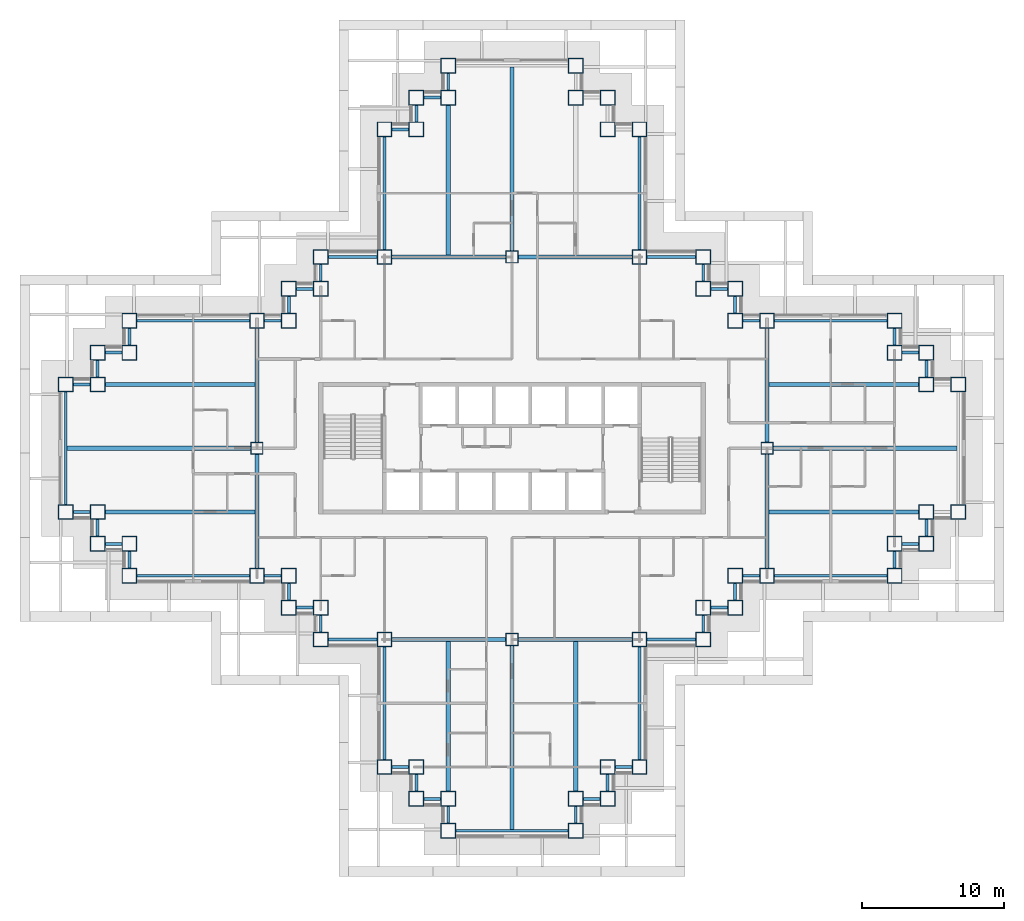
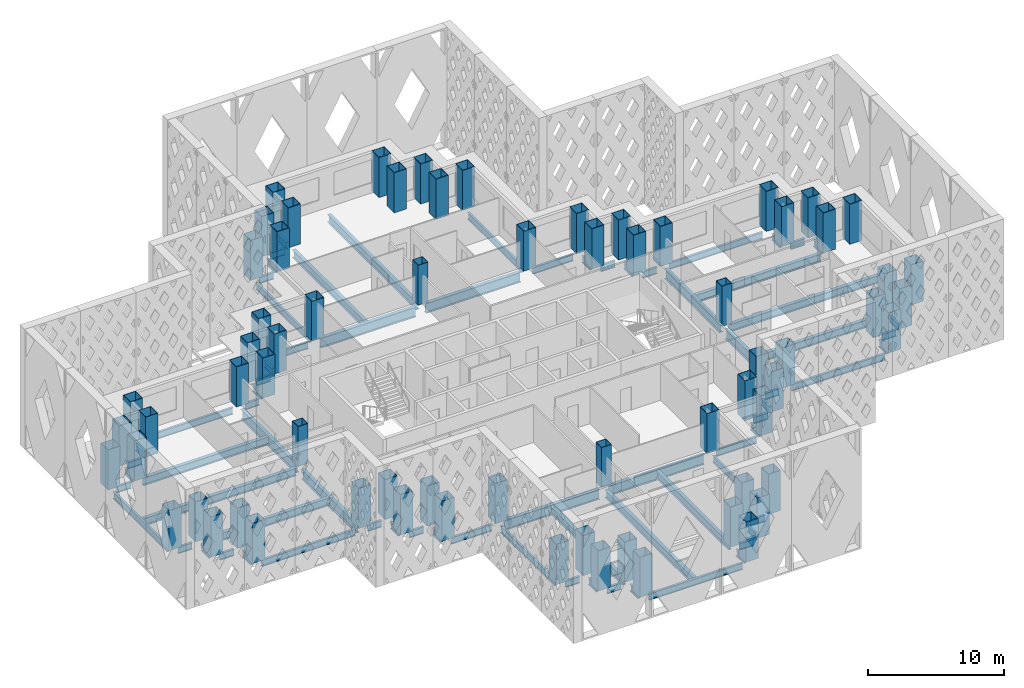
# One storey, part 1 of 19: 75 beams, 68 columns.
"""IFC4 building model written with IfcOpenShell, lengths in metres."""

from ifc_helpers import new_model, si_unit, direction, frame, origin, origin_2d, place, context, subcontext, project, spatial, hollow_rectangle, i_section, extrude, material, material_profile, profile_set, type_object, element, save


model = new_model("IFC4")

# Units and contexts
model_context = context("Model", 3, precision=1e-05, world=origin(), true_north=direction((0.0, 1.0)))
body_context = subcontext(model_context, "Body", "Model", "MODEL_VIEW")
ifc_project = project(units=[si_unit("LENGTHUNIT", "METRE"), si_unit("AREAUNIT", "SQUARE_METRE"), si_unit("VOLUMEUNIT", "CUBIC_METRE"), si_unit("PLANEANGLEUNIT", "RADIAN"), si_unit("MASSUNIT", "GRAM", prefix="KILO")], contexts=[model_context])

# Site, building, storey
site_placement = place(None, origin())
site = spatial("IfcSite", under=ifc_project, at=site_placement, CompositionType="ELEMENT")
building_placement = place(site_placement, origin())
building = spatial("IfcBuilding", under=site, at=building_placement, Name="Caravel Reach Hotel and Residences", CompositionType="ELEMENT")
storey_placement = place(building_placement, frame((0.0, 0.0, 52.800048828125)))
storey = spatial("IfcBuildingStorey", under=building, at=storey_placement, Name="L11", CompositionType="ELEMENT", Elevation=52.800048828125)

# Columns
ifc_material_1 = material(Name="Concrete-filled steel tube Q390B with Concrete C70 infill", Category="concrete")
ifc_material_profile_1 = material_profile(ifc_material_1, hollow_rectangle(XDim=1.050048828125, YDim=1.050048828125, WallThickness=0.033935546875, at=origin_2d()), Name="RHS 1050x1050x34")
ifc_profile_set_1 = profile_set([ifc_material_profile_1], Name="Concrete-filled steel tube Q390B with Concrete C70 infill")
column_type_1 = type_object("IfcColumnType", Name="CFT 1050x1050 Q390B C70", PredefinedType="COLUMN", material=ifc_profile_set_1)
for number, where, z_axis, x_axis, name in (
    (1, (22.5, 4.5, 0.0), (0.0, 0.0, 1.0), (1.0, 0.0, 0.0), "C11 column"),
    (2, (24.75, 4.5, 0.0), (0.0, 0.0, 1.0), (1.0, 0.0, 0.0), "C11 column"),
    (3, (24.75, 2.25, 0.0), (0.0, 0.0, 1.0), (1.0, 0.0, 0.0), "C11 column"),
    (4, (27.0, 2.25, 0.0), (0.0, 0.0, 1.0), (1.0, 0.0, 0.0), "C11 column"),
    (5, (27.0, 0.0, 0.0), (0.0, 0.0, 1.0), (1.0, 0.0, 0.0), "C11 column"),
    (6, (36.0, 0.0, 0.0), (0.0, 0.0, 1.0), (1.0, 0.0, 0.0), "C11 column"),
    (7, (36.0, 2.25, 0.0), (0.0, 0.0, 1.0), (1.0, 0.0, 0.0), "C11 column"),
    (8, (38.25, 2.25, 0.0), (0.0, 0.0, 1.0), (1.0, 0.0, 0.0), "C11 column"),
    (9, (38.25, 4.5, 0.0), (0.0, 0.0, 1.0), (1.0, 0.0, 0.0), "C11 column"),
    (10, (40.5, 4.5, 0.0), (0.0, 0.0, 1.0), (1.0, 0.0, 0.0), "C11 column"),
    (11, (40.5, 13.5, 0.0), (0.0, 0.0, 1.0), (1.0, 0.0, 0.0), "C11 column"),
    (12, (45.0, 13.5, 0.0), (0.0, 0.0, 1.0), (1.0, 0.0, 0.0), "C11 column"),
    (13, (45.0, 15.75, 0.0), (0.0, 0.0, 1.0), (1.0, 0.0, 0.0), "C11 column"),
    (14, (47.25, 15.75, 0.0), (0.0, 0.0, 1.0), (1.0, 0.0, 0.0), "C11 column"),
    (15, (47.25, 18.0, 0.0), (0.0, 0.0, 1.0), (1.0, 0.0, 0.0), "C11 column"),
    (16, (49.5, 18.0, 0.0), (0.0, 0.0, 1.0), (1.0, 0.0, 0.0), "C11 column"),
    (17, (58.5, 18.0, 0.0), (0.0, 0.0, 1.0), (1.0, 0.0, 0.0), "C11 column"),
    (18, (58.5, 20.25, 0.0), (0.0, 0.0, 1.0), (1.0, 0.0, 0.0), "C11 column"),
    (19, (60.75, 20.25, 0.0), (0.0, 0.0, 1.0), (1.0, 0.0, 0.0), "C11 column"),
    (20, (60.75, 22.5, 0.0), (0.0, 0.0, 1.0), (1.0, 0.0, 0.0), "C11 column"),
    (21, (63.0, 22.5, 0.0), (0.0, 0.0, 1.0), (1.0, 0.0, 0.0), "C11 column"),
    (22, (63.0, 31.5, 0.0), (0.0, 0.0, 1.0), (1.0, 0.0, 0.0), "C11 column"),
    (23, (60.75, 31.5, 0.0), (0.0, 0.0, 1.0), (1.0, 0.0, 0.0), "C11 column"),
    (24, (60.75, 33.75, 0.0), (0.0, 0.0, 1.0), (1.0, 0.0, 0.0), "C11 column"),
    (25, (58.5, 33.75, 0.0), (0.0, 0.0, 1.0), (1.0, 0.0, 0.0), "C11 column"),
    (26, (58.5, 36.0, 0.0), (0.0, 0.0, 1.0), (1.0, 0.0, 0.0), "C11 column"),
    (27, (49.5, 36.0, 0.0), (0.0, 0.0, 1.0), (1.0, 0.0, 0.0), "C11 column"),
    (28, (47.25, 36.0, 0.0), (0.0, 0.0, 1.0), (1.0, 0.0, 0.0), "C11 column"),
    (29, (47.25, 38.25, 0.0), (0.0, 0.0, 1.0), (1.0, 0.0, 0.0), "C11 column"),
    (30, (45.0, 38.25, 0.0), (0.0, 0.0, 1.0), (1.0, 0.0, 0.0), "C11 column"),
    (31, (45.0, 40.5, 0.0), (0.0, 0.0, 1.0), (1.0, 0.0, 0.0), "C11 column"),
    (32, (40.5, 40.5, 0.0), (0.0, 0.0, 1.0), (1.0, 0.0, 0.0), "C11 column"),
    (33, (40.5, 49.5, 0.0), (0.0, 0.0, 1.0), (1.0, 0.0, 0.0), "C11 column"),
    (34, (38.25, 49.5, 0.0), (0.0, 0.0, 1.0), (1.0, 0.0, 0.0), "C11 column"),
    (35, (38.25, 51.75, 0.0), (0.0, 0.0, 1.0), (1.0, 0.0, 0.0), "C11 column"),
    (36, (36.0, 51.75, 0.0), (0.0, 0.0, 1.0), (1.0, 0.0, 0.0), "C11 column"),
    (37, (36.0, 54.0, 0.0), (0.0, 0.0, 1.0), (1.0, 0.0, 0.0), "C11 column"),
    (38, (27.0, 54.0, 0.0), (0.0, 0.0, 1.0), (1.0, 0.0, 0.0), "C11 column"),
    (39, (27.0, 51.75, 0.0), (0.0, 0.0, 1.0), (1.0, 0.0, 0.0), "C11 column"),
    (40, (24.75, 51.75, 0.0), (0.0, 0.0, 1.0), (1.0, 0.0, 0.0), "C11 column"),
    (41, (24.75, 49.5, 0.0), (0.0, 0.0, 1.0), (1.0, 0.0, 0.0), "C11 column"),
    (42, (22.5, 49.5, 0.0), (0.0, 0.0, 1.0), (1.0, 0.0, 0.0), "C11 column"),
    (43, (22.5, 40.5, 0.0), (0.0, 0.0, 1.0), (1.0, 0.0, 0.0), "C11 column"),
    (44, (18.0, 40.5, 0.0), (0.0, 0.0, 1.0), (1.0, 0.0, 0.0), "C11 column"),
    (45, (18.0, 38.25, 0.0), (0.0, 0.0, 1.0), (1.0, 0.0, 0.0), "C11 column"),
    (46, (15.75, 38.25, 0.0), (0.0, 0.0, 1.0), (1.0, 0.0, 0.0), "C11 column"),
    (47, (15.75, 36.0, 0.0), (0.0, 0.0, 1.0), (1.0, 0.0, 0.0), "C11 column"),
    (48, (13.5, 36.0, 0.0), (0.0, 0.0, 1.0), (1.0, 0.0, 0.0), "C11 column"),
    (49, (4.5, 36.0, 0.0), (0.0, 0.0, 1.0), (1.0, 0.0, 0.0), "C11 column"),
    (50, (4.5, 33.75, 0.0), (0.0, 0.0, 1.0), (1.0, 0.0, 0.0), "C11 column"),
    (51, (2.25, 33.75, 0.0), (0.0, 0.0, 1.0), (1.0, 0.0, 0.0), "C11 column"),
    (52, (2.25, 31.5, 0.0), (0.0, 0.0, 1.0), (1.0, 0.0, 0.0), "C11 column"),
    (53, (0.0, 31.5, 0.0), (0.0, 0.0, 1.0), (1.0, 0.0, 0.0), "C11 column"),
    (54, (0.0, 22.5, 0.0), (0.0, 0.0, 1.0), (1.0, 0.0, 0.0), "C11 column"),
    (55, (2.25, 22.5, 0.0), (0.0, 0.0, 1.0), (1.0, 0.0, 0.0), "C11 column"),
    (56, (2.25, 20.25, 0.0), (0.0, 0.0, 1.0), (1.0, 0.0, 0.0), "C11 column"),
    (57, (4.5, 20.25, 0.0), (0.0, 0.0, 1.0), (1.0, 0.0, 0.0), "C11 column"),
    (58, (4.5, 18.0, 0.0), (0.0, 0.0, 1.0), (1.0, 0.0, 0.0), "C11 column"),
    (59, (13.5, 18.0, 0.0), (0.0, 0.0, 1.0), (1.0, 0.0, 0.0), "C11 column"),
    (60, (15.75, 18.0, 0.0), (0.0, 0.0, 1.0), (1.0, 0.0, 0.0), "C11 column"),
    (61, (15.75, 15.75, 0.0), (0.0, 0.0, 1.0), (1.0, 0.0, 0.0), "C11 column"),
    (62, (18.0, 15.75, 0.0), (0.0, 0.0, 1.0), (1.0, 0.0, 0.0), "C11 column"),
    (63, (18.0, 13.5, 0.0), (0.0, 0.0, 1.0), (1.0, 0.0, 0.0), "C11 column"),
    (64, (22.5, 13.5, 0.0), (0.0, 0.0, 1.0), (1.0, 0.0, 0.0), "C11 column"),
):
    element("IfcColumn", number, at=place(storey_placement, frame(where, z_axis=z_axis, x_axis=x_axis)), inside=storey, type_object=column_type_1, Name=name, PredefinedType="COLUMN", context=body_context, shape_type="SweptSolid", body=[
        extrude(hollow_rectangle(XDim=1.050048828125, YDim=1.050048828125, WallThickness=0.033935546875, at=origin_2d()), origin(), (0.0, 0.0, 1.0), 3.599853515625),
    ])
ifc_material_2 = material(Name="Concrete-filled steel tube Q390B with Concrete C70 infill", Category="concrete")
ifc_material_profile_2 = material_profile(ifc_material_2, hollow_rectangle(XDim=0.85009765625, YDim=0.85009765625, WallThickness=0.02587890625, at=origin_2d()), Name="RHS 850x850x26")
ifc_profile_set_2 = profile_set([ifc_material_profile_2], Name="Concrete-filled steel tube Q390B with Concrete C70 infill")
column_type_2 = type_object("IfcColumnType", Name="CFT 850x850 Q390B C70", PredefinedType="COLUMN", material=ifc_profile_set_2)
for number, where, z_axis, x_axis, name in (
    (65, (31.5, 40.5, 0.0), (0.0, 0.0, 1.0), (1.0, 0.0, 0.0), "C13 column"),
    (66, (31.5, 13.5, 0.0), (0.0, 0.0, 1.0), (1.0, 0.0, 0.0), "C13 column"),
    (67, (13.5, 27.0, 0.0), (0.0, 0.0, 1.0), (1.0, 0.0, 0.0), "C13 column"),
    (68, (49.5, 27.0, 0.0), (0.0, 0.0, 1.0), (1.0, 0.0, 0.0), "C13 column"),
):
    element("IfcColumn", number, at=place(storey_placement, frame(where, z_axis=z_axis, x_axis=x_axis)), inside=storey, type_object=column_type_2, Name=name, PredefinedType="COLUMN", context=body_context, shape_type="SweptSolid", body=[
        extrude(hollow_rectangle(XDim=0.85009765625, YDim=0.85009765625, WallThickness=0.02587890625, at=origin_2d()), origin(), (0.0, 0.0, 1.0), 3.599853515625),
    ])

# Beams
ifc_material_3 = material(Name="Structural steel Q355B", Category="steel")
ifc_material_profile_3 = material_profile(ifc_material_3, i_section(OverallWidth=0.300048828125, OverallDepth=0.699951171875, WebThickness=0.012939453125, FlangeThickness=0.02392578125, FilletRadius=0.01806640625, at=origin_2d()), Name="HN 700x300x13x24")
ifc_profile_set_3 = profile_set([ifc_material_profile_3], Name="Structural steel Q355B")
beam_type_1 = type_object("IfcBeamType", Name="Beam HN 700x300x13x24", PredefinedType="BEAM", material=ifc_profile_set_3)
beam_1_placement = place(storey_placement, frame((27.0, 40.60009765625, -0.650146484375), z_axis=(0.0, 1.0, 0.0), x_axis=(-1.0, 0.0, 0.0)))
element("IfcBeam", 69, at=beam_1_placement, inside=storey, type_object=beam_type_1, Name="B2 HN 700x300x13x24", PredefinedType="BEAM", context=body_context, shape_type="SweptSolid", body=[
    extrude(i_section(OverallWidth=0.300048828125, OverallDepth=0.699951171875, WebThickness=0.012939453125, FlangeThickness=0.02392578125, FilletRadius=0.01806640625, at=origin_2d()), origin(), (0.0, 0.0, 1.0), 10.6748046875),
])
beam_2_placement = place(storey_placement, frame((31.5, 40.875, -0.650146484375), z_axis=(0.0, 1.0, 0.0), x_axis=(-1.0, 0.0, 0.0)))
element("IfcBeam", 70, at=beam_2_placement, inside=storey, type_object=beam_type_1, Name="B2 HN 700x300x13x24", PredefinedType="BEAM", context=body_context, shape_type="SweptSolid", body=[
    extrude(i_section(OverallWidth=0.300048828125, OverallDepth=0.699951171875, WebThickness=0.012939453125, FlangeThickness=0.02392578125, FilletRadius=0.01806640625, at=origin_2d()), origin(), (0.0, 0.0, 1.0), 13.02490234375),
])
beam_3_placement = place(storey_placement, frame((27.0, 13.39990234375, -0.650146484375), z_axis=(0.0, -1.0, 0.0), x_axis=(1.0, 0.0, 0.0)))
element("IfcBeam", 71, at=beam_3_placement, inside=storey, type_object=beam_type_1, Name="B2 HN 700x300x13x24", PredefinedType="BEAM", context=body_context, shape_type="SweptSolid", body=[
    extrude(i_section(OverallWidth=0.300048828125, OverallDepth=0.699951171875, WebThickness=0.012939453125, FlangeThickness=0.02392578125, FilletRadius=0.01806640625, at=origin_2d()), origin(), (0.0, 0.0, 1.0), 10.6748046875),
])
beam_4_placement = place(storey_placement, frame((31.5, 13.125, -0.650146484375), z_axis=(0.0, -1.0, 0.0), x_axis=(1.0, 0.0, 0.0)))
element("IfcBeam", 72, at=beam_4_placement, inside=storey, type_object=beam_type_1, Name="B2 HN 700x300x13x24", PredefinedType="BEAM", context=body_context, shape_type="SweptSolid", body=[
    extrude(i_section(OverallWidth=0.300048828125, OverallDepth=0.699951171875, WebThickness=0.012939453125, FlangeThickness=0.02392578125, FilletRadius=0.01806640625, at=origin_2d()), origin(), (0.0, 0.0, 1.0), 13.02490234375),
])
for number, where, z_axis, x_axis, name in (
    (73, (36.0, 13.39990234375, -0.650146484375), (0.0, -1.0, 0.0), (1.0, 0.0, 0.0), "B2 HN 700x300x13x24"),
    (74, (49.60009765625, 22.5, -0.650146484375), (1.0, 0.0, 0.0), (0.0, 1.0, 0.0), "B2 HN 700x300x13x24"),
):
    element("IfcBeam", number, at=place(storey_placement, frame(where, z_axis=z_axis, x_axis=x_axis)), inside=storey, type_object=beam_type_1, Name=name, PredefinedType="BEAM", context=body_context, shape_type="SweptSolid", body=[
        extrude(i_section(OverallWidth=0.300048828125, OverallDepth=0.699951171875, WebThickness=0.012939453125, FlangeThickness=0.02392578125, FilletRadius=0.01806640625, at=origin_2d()), origin(), (0.0, 0.0, 1.0), 10.6748046875),
    ])
beam_5_placement = place(storey_placement, frame((49.875, 27.0, -0.650146484375), z_axis=(1.0, 0.0, 0.0), x_axis=(0.0, 1.0, 0.0)))
element("IfcBeam", 75, at=beam_5_placement, inside=storey, type_object=beam_type_1, Name="B2 HN 700x300x13x24", PredefinedType="BEAM", context=body_context, shape_type="SweptSolid", body=[
    extrude(i_section(OverallWidth=0.300048828125, OverallDepth=0.699951171875, WebThickness=0.012939453125, FlangeThickness=0.02392578125, FilletRadius=0.01806640625, at=origin_2d()), origin(), (0.0, 0.0, 1.0), 13.02490234375),
])
for number, where, z_axis, x_axis, name in (
    (76, (49.60009765625, 31.5, -0.650146484375), (1.0, 0.0, 0.0), (0.0, 1.0, 0.0), "B2 HN 700x300x13x24"),
    (77, (13.39990234375, 22.5, -0.650146484375), (-1.0, 0.0, 0.0), (0.0, -1.0, 0.0), "B2 HN 700x300x13x24"),
):
    element("IfcBeam", number, at=place(storey_placement, frame(where, z_axis=z_axis, x_axis=x_axis)), inside=storey, type_object=beam_type_1, Name=name, PredefinedType="BEAM", context=body_context, shape_type="SweptSolid", body=[
        extrude(i_section(OverallWidth=0.300048828125, OverallDepth=0.699951171875, WebThickness=0.012939453125, FlangeThickness=0.02392578125, FilletRadius=0.01806640625, at=origin_2d()), origin(), (0.0, 0.0, 1.0), 10.6748046875),
    ])
beam_6_placement = place(storey_placement, frame((13.125, 27.0, -0.650146484375), z_axis=(-1.0, 0.0, 0.0), x_axis=(0.0, -1.0, 0.0)))
element("IfcBeam", 78, at=beam_6_placement, inside=storey, type_object=beam_type_1, Name="B2 HN 700x300x13x24", PredefinedType="BEAM", context=body_context, shape_type="SweptSolid", body=[
    extrude(i_section(OverallWidth=0.300048828125, OverallDepth=0.699951171875, WebThickness=0.012939453125, FlangeThickness=0.02392578125, FilletRadius=0.01806640625, at=origin_2d()), origin(), (0.0, 0.0, 1.0), 13.02490234375),
])
beam_7_placement = place(storey_placement, frame((13.39990234375, 31.5, -0.650146484375), z_axis=(-1.0, 0.0, 0.0), x_axis=(0.0, -1.0, 0.0)))
element("IfcBeam", 79, at=beam_7_placement, inside=storey, type_object=beam_type_1, Name="B2 HN 700x300x13x24", PredefinedType="BEAM", context=body_context, shape_type="SweptSolid", body=[
    extrude(i_section(OverallWidth=0.300048828125, OverallDepth=0.699951171875, WebThickness=0.012939453125, FlangeThickness=0.02392578125, FilletRadius=0.01806640625, at=origin_2d()), origin(), (0.0, 0.0, 1.0), 10.6748046875),
])
ifc_material_4 = material(Name="Structural steel Q355B", Category="steel")
ifc_material_profile_4 = material_profile(ifc_material_4, i_section(OverallWidth=0.300048828125, OverallDepth=0.89990234375, WebThickness=0.01611328125, FlangeThickness=0.028076171875, FilletRadius=0.01806640625, at=origin_2d()), Name="HN 900x300x16x28")
ifc_profile_set_4 = profile_set([ifc_material_profile_4], Name="Structural steel Q355B")
beam_type_2 = type_object("IfcBeamType", Name="Beam HN 900x300x16x28", PredefinedType="BEAM", material=ifc_profile_set_4)
for number, where, z_axis, x_axis, name in (
    (80, (23.02490234375, 40.5, -0.75), (1.0, 0.0, 0.0), (0.0, 1.0, 0.0), "B3 HN 900x300x16x28"),
    (81, (31.925048828125, 40.5, -0.75), (1.0, 0.0, 0.0), (0.0, 1.0, 0.0), "B3 HN 900x300x16x28"),
    (82, (23.02490234375, 13.5, -0.75), (1.0, 0.0, 0.0), (0.0, 1.0, 0.0), "B3 HN 900x300x16x28"),
    (83, (31.925048828125, 13.5, -0.75), (1.0, 0.0, 0.0), (0.0, 1.0, 0.0), "B3 HN 900x300x16x28"),
    (84, (13.5, 18.52490234375, -0.75), (0.0, 1.0, 0.0), (-1.0, 0.0, 0.0), "B3 HN 900x300x16x28"),
    (85, (13.5, 27.425048828125, -0.75), (0.0, 1.0, 0.0), (-1.0, 0.0, 0.0), "B3 HN 900x300x16x28"),
    (86, (49.5, 18.52490234375, -0.75), (0.0, 1.0, 0.0), (-1.0, 0.0, 0.0), "B3 HN 900x300x16x28"),
    (87, (49.5, 27.425048828125, -0.75), (0.0, 1.0, 0.0), (-1.0, 0.0, 0.0), "B3 HN 900x300x16x28"),
):
    element("IfcBeam", number, at=place(storey_placement, frame(where, z_axis=z_axis, x_axis=x_axis)), inside=storey, type_object=beam_type_2, Name=name, PredefinedType="BEAM", context=body_context, shape_type="SweptSolid", body=[
        extrude(i_section(OverallWidth=0.300048828125, OverallDepth=0.89990234375, WebThickness=0.01611328125, FlangeThickness=0.028076171875, FilletRadius=0.01806640625, at=origin_2d()), origin(), (0.0, 0.0, 1.0), 8.050048828125),
    ])
ifc_material_5 = material(Name="Structural steel Q355B", Category="steel")
ifc_material_profile_5 = material_profile(ifc_material_5, i_section(OverallWidth=0.199951171875, OverallDepth=0.60009765625, WebThickness=0.010986328125, FlangeThickness=0.01708984375, FilletRadius=0.012939453125, at=origin_2d()), Name="HN 600x200x11x17")
ifc_profile_set_5 = profile_set([ifc_material_profile_5], Name="Structural steel Q355B")
beam_type_3 = type_object("IfcBeamType", Name="Spandrel beam HN 600x200x11x17", PredefinedType="SPANDREL", material=ifc_profile_set_5)
for number, where, z_axis, x_axis, name in (
    (88, (23.02490234375, 4.5, -0.60009765625), (1.0, 0.0, 0.0), (0.0, 1.0, 0.0), "SP1 HN 600x200x11x17"),
    (89, (24.75, 3.97509765625, -0.60009765625), (0.0, -1.0, 0.0), (1.0, 0.0, 0.0), "SP1 HN 600x200x11x17"),
    (90, (25.27490234375, 2.25, -0.60009765625), (1.0, 0.0, 0.0), (0.0, 1.0, 0.0), "SP1 HN 600x200x11x17"),
    (91, (27.0, 1.72509765625, -0.60009765625), (0.0, -1.0, 0.0), (1.0, 0.0, 0.0), "SP1 HN 600x200x11x17"),
):
    element("IfcBeam", number, at=place(storey_placement, frame(where, z_axis=z_axis, x_axis=x_axis)), inside=storey, type_object=beam_type_3, Name=name, PredefinedType="SPANDREL", context=body_context, shape_type="SweptSolid", body=[
        extrude(i_section(OverallWidth=0.199951171875, OverallDepth=0.60009765625, WebThickness=0.010986328125, FlangeThickness=0.01708984375, FilletRadius=0.012939453125, at=origin_2d()), origin(), (0.0, 0.0, 1.0), 1.2001953125),
    ])
beam_8_placement = place(storey_placement, frame((27.52490234375, 0.0, -0.60009765625), z_axis=(1.0, 0.0, 0.0), x_axis=(0.0, 1.0, 0.0)))
element("IfcBeam", 92, at=beam_8_placement, inside=storey, type_object=beam_type_3, Name="SP1 HN 600x200x11x17", PredefinedType="SPANDREL", context=body_context, shape_type="SweptSolid", body=[
    extrude(i_section(OverallWidth=0.199951171875, OverallDepth=0.60009765625, WebThickness=0.010986328125, FlangeThickness=0.01708984375, FilletRadius=0.012939453125, at=origin_2d()), origin(), (0.0, 0.0, 1.0), 7.9501953125),
])
for number, where, z_axis, x_axis, name in (
    (93, (36.0, 0.52490234375, -0.60009765625), (0.0, 1.0, 0.0), (-1.0, 0.0, 0.0), "SP1 HN 600x200x11x17"),
    (94, (36.52490234375, 2.25, -0.60009765625), (1.0, 0.0, 0.0), (0.0, 1.0, 0.0), "SP1 HN 600x200x11x17"),
    (95, (38.25, 2.77490234375, -0.60009765625), (0.0, 1.0, 0.0), (-1.0, 0.0, 0.0), "SP1 HN 600x200x11x17"),
    (96, (38.77490234375, 4.5, -0.60009765625), (1.0, 0.0, 0.0), (0.0, 1.0, 0.0), "SP1 HN 600x200x11x17"),
):
    element("IfcBeam", number, at=place(storey_placement, frame(where, z_axis=z_axis, x_axis=x_axis)), inside=storey, type_object=beam_type_3, Name=name, PredefinedType="SPANDREL", context=body_context, shape_type="SweptSolid", body=[
        extrude(i_section(OverallWidth=0.199951171875, OverallDepth=0.60009765625, WebThickness=0.010986328125, FlangeThickness=0.01708984375, FilletRadius=0.012939453125, at=origin_2d()), origin(), (0.0, 0.0, 1.0), 1.2001953125),
    ])
beam_9_placement = place(storey_placement, frame((40.5, 5.02490234375, -0.60009765625), z_axis=(0.0, 1.0, 0.0), x_axis=(-1.0, 0.0, 0.0)))
element("IfcBeam", 97, at=beam_9_placement, inside=storey, type_object=beam_type_3, Name="SP1 HN 600x200x11x17", PredefinedType="SPANDREL", context=body_context, shape_type="SweptSolid", body=[
    extrude(i_section(OverallWidth=0.199951171875, OverallDepth=0.60009765625, WebThickness=0.010986328125, FlangeThickness=0.01708984375, FilletRadius=0.012939453125, at=origin_2d()), origin(), (0.0, 0.0, 1.0), 7.9501953125),
])
beam_10_placement = place(storey_placement, frame((41.02490234375, 13.5, -0.60009765625), z_axis=(1.0, 0.0, 0.0), x_axis=(0.0, 1.0, 0.0)))
element("IfcBeam", 98, at=beam_10_placement, inside=storey, type_object=beam_type_3, Name="SP1 HN 600x200x11x17", PredefinedType="SPANDREL", context=body_context, shape_type="SweptSolid", body=[
    extrude(i_section(OverallWidth=0.199951171875, OverallDepth=0.60009765625, WebThickness=0.010986328125, FlangeThickness=0.01708984375, FilletRadius=0.012939453125, at=origin_2d()), origin(), (0.0, 0.0, 1.0), 3.4501953125),
])
for number, where, z_axis, x_axis, name in (
    (99, (45.0, 14.02490234375, -0.60009765625), (0.0, 1.0, 0.0), (-1.0, 0.0, 0.0), "SP1 HN 600x200x11x17"),
    (100, (45.52490234375, 15.75, -0.60009765625), (1.0, 0.0, 0.0), (0.0, 1.0, 0.0), "SP1 HN 600x200x11x17"),
    (101, (47.25, 16.27490234375, -0.60009765625), (0.0, 1.0, 0.0), (-1.0, 0.0, 0.0), "SP1 HN 600x200x11x17"),
    (102, (47.77490234375, 18.0, -0.60009765625), (1.0, 0.0, 0.0), (0.0, 1.0, 0.0), "SP1 HN 600x200x11x17"),
):
    element("IfcBeam", number, at=place(storey_placement, frame(where, z_axis=z_axis, x_axis=x_axis)), inside=storey, type_object=beam_type_3, Name=name, PredefinedType="SPANDREL", context=body_context, shape_type="SweptSolid", body=[
        extrude(i_section(OverallWidth=0.199951171875, OverallDepth=0.60009765625, WebThickness=0.010986328125, FlangeThickness=0.01708984375, FilletRadius=0.012939453125, at=origin_2d()), origin(), (0.0, 0.0, 1.0), 1.2001953125),
    ])
beam_11_placement = place(storey_placement, frame((50.02490234375, 18.0, -0.60009765625), z_axis=(1.0, 0.0, 0.0), x_axis=(0.0, 1.0, 0.0)))
element("IfcBeam", 103, at=beam_11_placement, inside=storey, type_object=beam_type_3, Name="SP1 HN 600x200x11x17", PredefinedType="SPANDREL", context=body_context, shape_type="SweptSolid", body=[
    extrude(i_section(OverallWidth=0.199951171875, OverallDepth=0.60009765625, WebThickness=0.010986328125, FlangeThickness=0.01708984375, FilletRadius=0.012939453125, at=origin_2d()), origin(), (0.0, 0.0, 1.0), 7.9501953125),
])
for number, where, z_axis, x_axis, name in (
    (104, (58.5, 18.52490234375, -0.60009765625), (0.0, 1.0, 0.0), (-1.0, 0.0, 0.0), "SP1 HN 600x200x11x17"),
    (105, (59.02490234375, 20.25, -0.60009765625), (1.0, 0.0, 0.0), (0.0, 1.0, 0.0), "SP1 HN 600x200x11x17"),
    (106, (60.75, 20.77490234375, -0.60009765625), (0.0, 1.0, 0.0), (-1.0, 0.0, 0.0), "SP1 HN 600x200x11x17"),
    (107, (60.75, 32.02490234375, -0.60009765625), (0.0, 1.0, 0.0), (-1.0, 0.0, 0.0), "SP1 HN 600x200x11x17"),
    (108, (60.22509765625, 33.75, -0.60009765625), (-1.0, 0.0, 0.0), (0.0, -1.0, 0.0), "SP1 HN 600x200x11x17"),
    (109, (58.5, 34.27490234375, -0.60009765625), (0.0, 1.0, 0.0), (-1.0, 0.0, 0.0), "SP1 HN 600x200x11x17"),
):
    element("IfcBeam", number, at=place(storey_placement, frame(where, z_axis=z_axis, x_axis=x_axis)), inside=storey, type_object=beam_type_3, Name=name, PredefinedType="SPANDREL", context=body_context, shape_type="SweptSolid", body=[
        extrude(i_section(OverallWidth=0.199951171875, OverallDepth=0.60009765625, WebThickness=0.010986328125, FlangeThickness=0.01708984375, FilletRadius=0.012939453125, at=origin_2d()), origin(), (0.0, 0.0, 1.0), 1.2001953125),
    ])
beam_12_placement = place(storey_placement, frame((57.97509765625, 36.0, -0.60009765625), z_axis=(-1.0, 0.0, 0.0), x_axis=(0.0, -1.0, 0.0)))
element("IfcBeam", 110, at=beam_12_placement, inside=storey, type_object=beam_type_3, Name="SP1 HN 600x200x11x17", PredefinedType="SPANDREL", context=body_context, shape_type="SweptSolid", body=[
    extrude(i_section(OverallWidth=0.199951171875, OverallDepth=0.60009765625, WebThickness=0.010986328125, FlangeThickness=0.01708984375, FilletRadius=0.012939453125, at=origin_2d()), origin(), (0.0, 0.0, 1.0), 7.9501953125),
])
for number, where, z_axis, x_axis, name in (
    (111, (48.97509765625, 36.0, -0.60009765625), (-1.0, 0.0, 0.0), (0.0, -1.0, 0.0), "SP1 HN 600x200x11x17"),
    (112, (47.25, 36.52490234375, -0.60009765625), (0.0, 1.0, 0.0), (-1.0, 0.0, 0.0), "SP1 HN 600x200x11x17"),
    (113, (46.72509765625, 38.25, -0.60009765625), (-1.0, 0.0, 0.0), (0.0, -1.0, 0.0), "SP1 HN 600x200x11x17"),
    (114, (45.0, 38.77490234375, -0.60009765625), (0.0, 1.0, 0.0), (-1.0, 0.0, 0.0), "SP1 HN 600x200x11x17"),
):
    element("IfcBeam", number, at=place(storey_placement, frame(where, z_axis=z_axis, x_axis=x_axis)), inside=storey, type_object=beam_type_3, Name=name, PredefinedType="SPANDREL", context=body_context, shape_type="SweptSolid", body=[
        extrude(i_section(OverallWidth=0.199951171875, OverallDepth=0.60009765625, WebThickness=0.010986328125, FlangeThickness=0.01708984375, FilletRadius=0.012939453125, at=origin_2d()), origin(), (0.0, 0.0, 1.0), 1.2001953125),
    ])
beam_13_placement = place(storey_placement, frame((44.47509765625, 40.5, -0.60009765625), z_axis=(-1.0, 0.0, 0.0), x_axis=(0.0, -1.0, 0.0)))
element("IfcBeam", 115, at=beam_13_placement, inside=storey, type_object=beam_type_3, Name="SP1 HN 600x200x11x17", PredefinedType="SPANDREL", context=body_context, shape_type="SweptSolid", body=[
    extrude(i_section(OverallWidth=0.199951171875, OverallDepth=0.60009765625, WebThickness=0.010986328125, FlangeThickness=0.01708984375, FilletRadius=0.012939453125, at=origin_2d()), origin(), (0.0, 0.0, 1.0), 3.4501953125),
])
beam_14_placement = place(storey_placement, frame((40.5, 41.02490234375, -0.60009765625), z_axis=(0.0, 1.0, 0.0), x_axis=(-1.0, 0.0, 0.0)))
element("IfcBeam", 116, at=beam_14_placement, inside=storey, type_object=beam_type_3, Name="SP1 HN 600x200x11x17", PredefinedType="SPANDREL", context=body_context, shape_type="SweptSolid", body=[
    extrude(i_section(OverallWidth=0.199951171875, OverallDepth=0.60009765625, WebThickness=0.010986328125, FlangeThickness=0.01708984375, FilletRadius=0.012939453125, at=origin_2d()), origin(), (0.0, 0.0, 1.0), 7.9501953125),
])
for number, where, z_axis, x_axis, name in (
    (117, (27.0, 53.47509765625, -0.60009765625), (0.0, -1.0, 0.0), (1.0, 0.0, 0.0), "SP1 HN 600x200x11x17"),
    (118, (26.47509765625, 51.75, -0.60009765625), (-1.0, 0.0, 0.0), (0.0, -1.0, 0.0), "SP1 HN 600x200x11x17"),
    (119, (24.75, 51.22509765625, -0.60009765625), (0.0, -1.0, 0.0), (1.0, 0.0, 0.0), "SP1 HN 600x200x11x17"),
    (120, (24.22509765625, 49.5, -0.60009765625), (-1.0, 0.0, 0.0), (0.0, -1.0, 0.0), "SP1 HN 600x200x11x17"),
):
    element("IfcBeam", number, at=place(storey_placement, frame(where, z_axis=z_axis, x_axis=x_axis)), inside=storey, type_object=beam_type_3, Name=name, PredefinedType="SPANDREL", context=body_context, shape_type="SweptSolid", body=[
        extrude(i_section(OverallWidth=0.199951171875, OverallDepth=0.60009765625, WebThickness=0.010986328125, FlangeThickness=0.01708984375, FilletRadius=0.012939453125, at=origin_2d()), origin(), (0.0, 0.0, 1.0), 1.2001953125),
    ])
beam_15_placement = place(storey_placement, frame((22.5, 48.97509765625, -0.60009765625), z_axis=(0.0, -1.0, 0.0), x_axis=(1.0, 0.0, 0.0)))
element("IfcBeam", 121, at=beam_15_placement, inside=storey, type_object=beam_type_3, Name="SP1 HN 600x200x11x17", PredefinedType="SPANDREL", context=body_context, shape_type="SweptSolid", body=[
    extrude(i_section(OverallWidth=0.199951171875, OverallDepth=0.60009765625, WebThickness=0.010986328125, FlangeThickness=0.01708984375, FilletRadius=0.012939453125, at=origin_2d()), origin(), (0.0, 0.0, 1.0), 7.9501953125),
])
beam_16_placement = place(storey_placement, frame((21.97509765625, 40.5, -0.60009765625), z_axis=(-1.0, 0.0, 0.0), x_axis=(0.0, -1.0, 0.0)))
element("IfcBeam", 122, at=beam_16_placement, inside=storey, type_object=beam_type_3, Name="SP1 HN 600x200x11x17", PredefinedType="SPANDREL", context=body_context, shape_type="SweptSolid", body=[
    extrude(i_section(OverallWidth=0.199951171875, OverallDepth=0.60009765625, WebThickness=0.010986328125, FlangeThickness=0.01708984375, FilletRadius=0.012939453125, at=origin_2d()), origin(), (0.0, 0.0, 1.0), 3.4501953125),
])
for number, where, z_axis, x_axis, name in (
    (123, (18.0, 39.97509765625, -0.60009765625), (0.0, -1.0, 0.0), (1.0, 0.0, 0.0), "SP1 HN 600x200x11x17"),
    (124, (17.47509765625, 38.25, -0.60009765625), (-1.0, 0.0, 0.0), (0.0, -1.0, 0.0), "SP1 HN 600x200x11x17"),
    (125, (15.75, 37.72509765625, -0.60009765625), (0.0, -1.0, 0.0), (1.0, 0.0, 0.0), "SP1 HN 600x200x11x17"),
    (126, (15.22509765625, 36.0, -0.60009765625), (-1.0, 0.0, 0.0), (0.0, -1.0, 0.0), "SP1 HN 600x200x11x17"),
):
    element("IfcBeam", number, at=place(storey_placement, frame(where, z_axis=z_axis, x_axis=x_axis)), inside=storey, type_object=beam_type_3, Name=name, PredefinedType="SPANDREL", context=body_context, shape_type="SweptSolid", body=[
        extrude(i_section(OverallWidth=0.199951171875, OverallDepth=0.60009765625, WebThickness=0.010986328125, FlangeThickness=0.01708984375, FilletRadius=0.012939453125, at=origin_2d()), origin(), (0.0, 0.0, 1.0), 1.2001953125),
    ])
beam_17_placement = place(storey_placement, frame((12.97509765625, 36.0, -0.60009765625), z_axis=(-1.0, 0.0, 0.0), x_axis=(0.0, -1.0, 0.0)))
element("IfcBeam", 127, at=beam_17_placement, inside=storey, type_object=beam_type_3, Name="SP1 HN 600x200x11x17", PredefinedType="SPANDREL", context=body_context, shape_type="SweptSolid", body=[
    extrude(i_section(OverallWidth=0.199951171875, OverallDepth=0.60009765625, WebThickness=0.010986328125, FlangeThickness=0.01708984375, FilletRadius=0.012939453125, at=origin_2d()), origin(), (0.0, 0.0, 1.0), 7.9501953125),
])
for number, where, z_axis, x_axis, name in (
    (128, (4.5, 35.47509765625, -0.60009765625), (0.0, -1.0, 0.0), (1.0, 0.0, 0.0), "SP1 HN 600x200x11x17"),
    (129, (3.97509765625, 33.75, -0.60009765625), (-1.0, 0.0, 0.0), (0.0, -1.0, 0.0), "SP1 HN 600x200x11x17"),
    (130, (2.25, 33.22509765625, -0.60009765625), (0.0, -1.0, 0.0), (1.0, 0.0, 0.0), "SP1 HN 600x200x11x17"),
    (131, (1.72509765625, 31.5, -0.60009765625), (-1.0, 0.0, 0.0), (0.0, -1.0, 0.0), "SP1 HN 600x200x11x17"),
):
    element("IfcBeam", number, at=place(storey_placement, frame(where, z_axis=z_axis, x_axis=x_axis)), inside=storey, type_object=beam_type_3, Name=name, PredefinedType="SPANDREL", context=body_context, shape_type="SweptSolid", body=[
        extrude(i_section(OverallWidth=0.199951171875, OverallDepth=0.60009765625, WebThickness=0.010986328125, FlangeThickness=0.01708984375, FilletRadius=0.012939453125, at=origin_2d()), origin(), (0.0, 0.0, 1.0), 1.2001953125),
    ])
beam_18_placement = place(storey_placement, frame((0.0, 30.97509765625, -0.60009765625), z_axis=(0.0, -1.0, 0.0), x_axis=(1.0, 0.0, 0.0)))
element("IfcBeam", 132, at=beam_18_placement, inside=storey, type_object=beam_type_3, Name="SP1 HN 600x200x11x17", PredefinedType="SPANDREL", context=body_context, shape_type="SweptSolid", body=[
    extrude(i_section(OverallWidth=0.199951171875, OverallDepth=0.60009765625, WebThickness=0.010986328125, FlangeThickness=0.01708984375, FilletRadius=0.012939453125, at=origin_2d()), origin(), (0.0, 0.0, 1.0), 7.9501953125),
])
for number, where, z_axis, x_axis, name in (
    (133, (0.52490234375, 22.5, -0.60009765625), (1.0, 0.0, 0.0), (0.0, 1.0, 0.0), "SP1 HN 600x200x11x17"),
    (134, (2.25, 21.97509765625, -0.60009765625), (0.0, -1.0, 0.0), (1.0, 0.0, 0.0), "SP1 HN 600x200x11x17"),
    (135, (2.77490234375, 20.25, -0.60009765625), (1.0, 0.0, 0.0), (0.0, 1.0, 0.0), "SP1 HN 600x200x11x17"),
    (136, (4.5, 19.72509765625, -0.60009765625), (0.0, -1.0, 0.0), (1.0, 0.0, 0.0), "SP1 HN 600x200x11x17"),
):
    element("IfcBeam", number, at=place(storey_placement, frame(where, z_axis=z_axis, x_axis=x_axis)), inside=storey, type_object=beam_type_3, Name=name, PredefinedType="SPANDREL", context=body_context, shape_type="SweptSolid", body=[
        extrude(i_section(OverallWidth=0.199951171875, OverallDepth=0.60009765625, WebThickness=0.010986328125, FlangeThickness=0.01708984375, FilletRadius=0.012939453125, at=origin_2d()), origin(), (0.0, 0.0, 1.0), 1.2001953125),
    ])
beam_19_placement = place(storey_placement, frame((5.02490234375, 18.0, -0.60009765625), z_axis=(1.0, 0.0, 0.0), x_axis=(0.0, 1.0, 0.0)))
element("IfcBeam", 137, at=beam_19_placement, inside=storey, type_object=beam_type_3, Name="SP1 HN 600x200x11x17", PredefinedType="SPANDREL", context=body_context, shape_type="SweptSolid", body=[
    extrude(i_section(OverallWidth=0.199951171875, OverallDepth=0.60009765625, WebThickness=0.010986328125, FlangeThickness=0.01708984375, FilletRadius=0.012939453125, at=origin_2d()), origin(), (0.0, 0.0, 1.0), 7.9501953125),
])
for number, where, z_axis, x_axis, name in (
    (138, (14.02490234375, 18.0, -0.60009765625), (1.0, 0.0, 0.0), (0.0, 1.0, 0.0), "SP1 HN 600x200x11x17"),
    (139, (15.75, 17.47509765625, -0.60009765625), (0.0, -1.0, 0.0), (1.0, 0.0, 0.0), "SP1 HN 600x200x11x17"),
    (140, (16.27490234375, 15.75, -0.60009765625), (1.0, 0.0, 0.0), (0.0, 1.0, 0.0), "SP1 HN 600x200x11x17"),
    (141, (18.0, 15.22509765625, -0.60009765625), (0.0, -1.0, 0.0), (1.0, 0.0, 0.0), "SP1 HN 600x200x11x17"),
):
    element("IfcBeam", number, at=place(storey_placement, frame(where, z_axis=z_axis, x_axis=x_axis)), inside=storey, type_object=beam_type_3, Name=name, PredefinedType="SPANDREL", context=body_context, shape_type="SweptSolid", body=[
        extrude(i_section(OverallWidth=0.199951171875, OverallDepth=0.60009765625, WebThickness=0.010986328125, FlangeThickness=0.01708984375, FilletRadius=0.012939453125, at=origin_2d()), origin(), (0.0, 0.0, 1.0), 1.2001953125),
    ])
beam_20_placement = place(storey_placement, frame((18.52490234375, 13.5, -0.60009765625), z_axis=(1.0, 0.0, 0.0), x_axis=(0.0, 1.0, 0.0)))
element("IfcBeam", 142, at=beam_20_placement, inside=storey, type_object=beam_type_3, Name="SP1 HN 600x200x11x17", PredefinedType="SPANDREL", context=body_context, shape_type="SweptSolid", body=[
    extrude(i_section(OverallWidth=0.199951171875, OverallDepth=0.60009765625, WebThickness=0.010986328125, FlangeThickness=0.01708984375, FilletRadius=0.012939453125, at=origin_2d()), origin(), (0.0, 0.0, 1.0), 3.4501953125),
])
beam_21_placement = place(storey_placement, frame((22.5, 12.97509765625, -0.60009765625), z_axis=(0.0, -1.0, 0.0), x_axis=(1.0, 0.0, 0.0)))
element("IfcBeam", 143, at=beam_21_placement, inside=storey, type_object=beam_type_3, Name="SP1 HN 600x200x11x17", PredefinedType="SPANDREL", context=body_context, shape_type="SweptSolid", body=[
    extrude(i_section(OverallWidth=0.199951171875, OverallDepth=0.60009765625, WebThickness=0.010986328125, FlangeThickness=0.01708984375, FilletRadius=0.012939453125, at=origin_2d()), origin(), (0.0, 0.0, 1.0), 7.9501953125),
])

save(model, "model.ifc")
